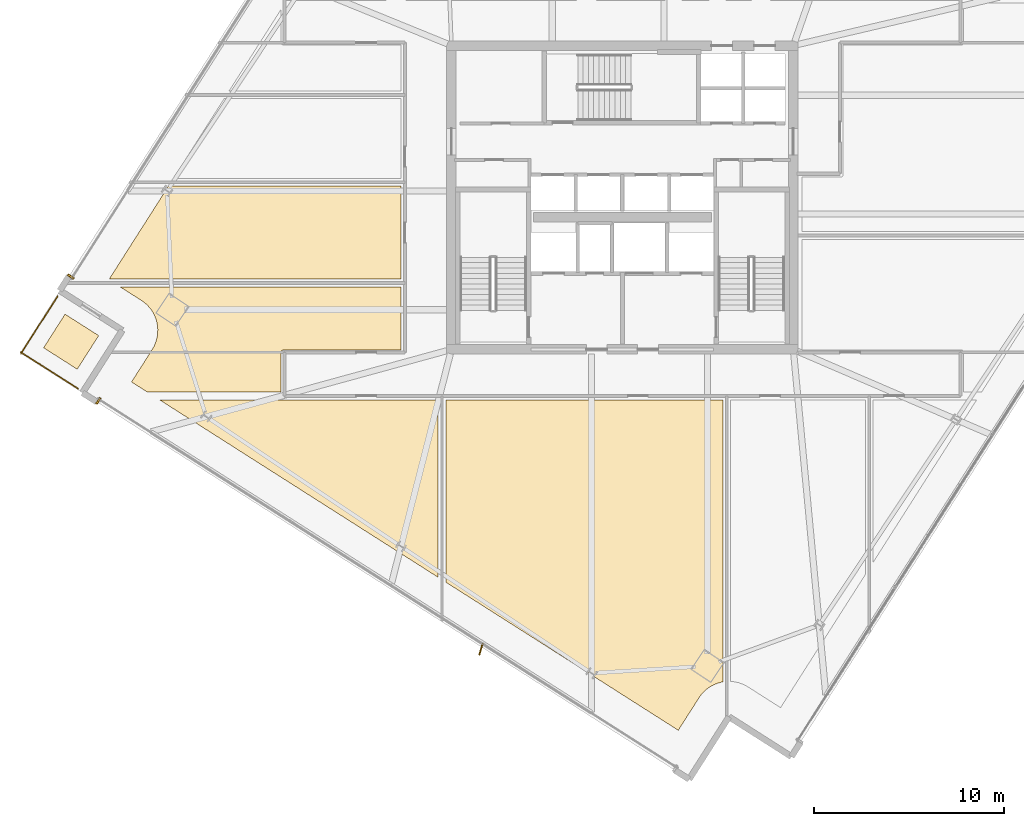
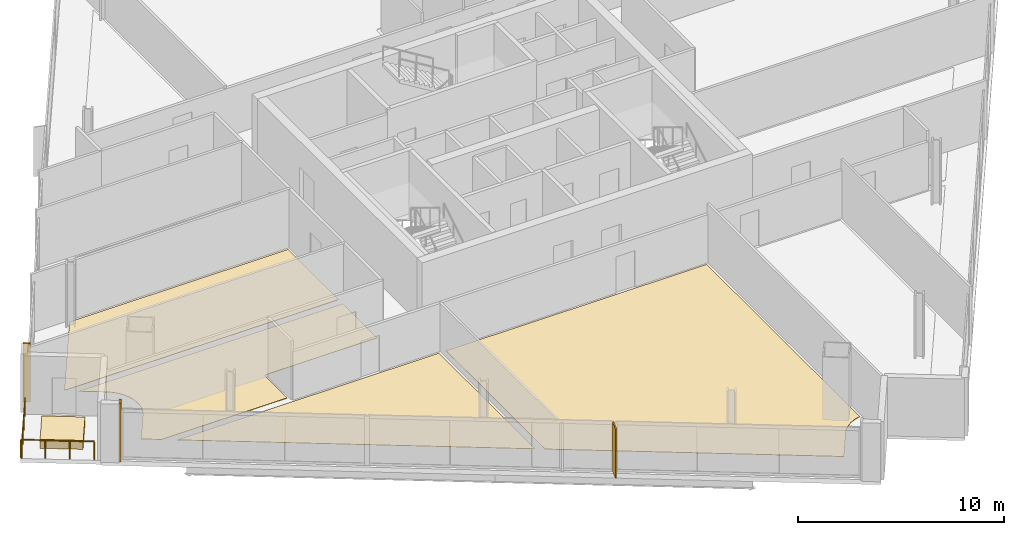
# One storey, part 26 of 30: 7 coverings, 2 railings, 1 shading device.
"""IFC4 building model written with IfcOpenShell, lengths in metres."""

import ifcopenshell
import ifcopenshell.guid

model = None  # the IFC model being written
_history = None  # IfcOwnerHistory: only IFC2X3 demands one
_inside = {}  # id of a spatial element -> (the spatial element, [elements in it])
_under = {}  # id of a project, library or spatial element -> (it, [spatial elements below it])
_declared = {}  # id of a project -> (the project, [libraries it declares])
_typed = {}  # id of a type object -> (the type object, [elements of that type])
_made_of = {}  # id of a material, layer set ... -> (it, [elements and type objects made of it])


def new_model(schema):
    """Start an empty IFC model of exactly this schema.

    Asked for "IFC4X3", IfcOpenShell would pick the latest addendum, in which some entities
    have other attributes; the version numbers below select the first issue.
    IFC2X3 requires an IfcOwnerHistory on every rooted entity: one is made here for all.
    """
    global model, _history
    if schema == "IFC4X3":
        model = ifcopenshell.file(schema_version=(4, 3, 0, 0))
    else:
        model = ifcopenshell.file(schema=schema)
    _inside.clear()
    _under.clear()
    _declared.clear()
    _typed.clear()
    _made_of.clear()
    _history = None
    if model.schema == "IFC2X3":
        org = make("IfcOrganization", Name="unknown")
        user = make(
            "IfcPersonAndOrganization",
            ThePerson=make("IfcPerson", FamilyName="unknown"),
            TheOrganization=org,
        )
        app = make(
            "IfcApplication",
            ApplicationDeveloper=org,
            Version="unknown",
            ApplicationFullName="unknown",
            ApplicationIdentifier="unknown",
        )
        _history = make(
            "IfcOwnerHistory",
            OwningUser=user,
            OwningApplication=app,
            ChangeAction="ADDED",
            CreationDate=0,
        )
    return model


def make(cls, **values):
    """One entity of the class cls with the attributes given. An attribute that is None is left unset."""
    return model.create_entity(
        cls, **{name: value for name, value in values.items() if value is not None}
    )


def rooted(cls, **values):
    """An entity with a GlobalId (a new one), such as an element, a storey or a relation."""
    return make(cls, GlobalId=ifcopenshell.guid.new(), OwnerHistory=_history, **values)


def si_unit(unit_type, name, prefix=None):
    """IfcSIUnit, for example si_unit("LENGTHUNIT", "METRE", prefix="MILLI")."""
    return make("IfcSIUnit", UnitType=unit_type, Prefix=prefix, Name=name)


def assignment(units):
    """IfcUnitAssignment: the units of a project."""
    return None if units is None else make("IfcUnitAssignment", Units=units)


def point(xyz):
    """IfcCartesianPoint."""
    return None if xyz is None else make("IfcCartesianPoint", Coordinates=xyz)


def direction(xyz):
    """IfcDirection."""
    return None if xyz is None else make("IfcDirection", DirectionRatios=xyz)


def frame(location, z_axis=None, x_axis=None):
    """IfcAxis2Placement3D, a coordinate frame: its origin and axes. An axis left out is left unset."""
    return make(
        "IfcAxis2Placement3D",
        Location=point(location),
        Axis=direction(z_axis),
        RefDirection=direction(x_axis),
    )


def frame_2d(location, x_axis=None):
    """IfcAxis2Placement2D, a coordinate frame in the plane: its origin and x axis."""
    return make(
        "IfcAxis2Placement2D", Location=point(location), RefDirection=direction(x_axis)
    )


def origin():
    """The frame at (0, 0, 0) with its axes left unset."""
    return frame((0.0, 0.0, 0.0))


def origin_2d():
    """The frame at (0, 0) in the plane with its x axis left unset."""
    return frame_2d((0.0, 0.0))


def place(relative_to, where):
    """IfcLocalPlacement: puts the frame where relative to a parent placement (None: the world)."""
    return make(
        "IfcLocalPlacement", PlacementRelTo=relative_to, RelativePlacement=where
    )


def context(
    kind, dimensions, precision=None, world=None, true_north=None, identifier=None
):
    """IfcGeometricRepresentationContext, for example the 3D "Model" context."""
    return make(
        "IfcGeometricRepresentationContext",
        ContextIdentifier=identifier,
        ContextType=kind,
        CoordinateSpaceDimension=dimensions,
        Precision=precision,
        WorldCoordinateSystem=world,
        TrueNorth=true_north,
    )


def subcontext(parent, identifier, kind, view, scale=None):
    """IfcGeometricRepresentationSubContext, for example "Body" below "Model"."""
    return make(
        "IfcGeometricRepresentationSubContext",
        ContextIdentifier=identifier,
        ContextType=kind,
        ParentContext=parent,
        TargetScale=scale,
        TargetView=view,
    )


def project(units=None, contexts=None):
    """IfcProject with its units and contexts."""
    return rooted(
        "IfcProject",
        Name="project",
        RepresentationContexts=contexts,
        UnitsInContext=assignment(units),
    )


def spatial(cls, under=None, at=None, **own):
    """A site, building, storey or space (cls), placed at a placement, below another one or the project."""
    s = rooted(cls, ObjectPlacement=at, **own)
    if under is not None:
        _under.setdefault(under.id(), (under, []))[1].append(s)
    return s


def polyline(points):
    """IfcPolyline through the points."""
    return make("IfcPolyline", Points=[point(p) for p in points])


def profile(cls, at=None, kind="AREA", **sizes):
    """A parametric profile (cls). Its sizes go by their IFC names, for example OverallWidth=200.0."""
    return make(cls, ProfileType=kind, Position=at, **sizes)


def rectangle(**sizes):
    """IfcRectangleProfileDef."""
    return profile("IfcRectangleProfileDef", **sizes)


def outline(outer, holes=None, kind="AREA"):
    """IfcArbitraryClosedProfileDef: a profile drawn as a closed curve; with holes, ...WithVoids."""
    if holes is None:
        return make("IfcArbitraryClosedProfileDef", ProfileType=kind, OuterCurve=outer)
    return make(
        "IfcArbitraryProfileDefWithVoids",
        ProfileType=kind,
        OuterCurve=outer,
        InnerCurves=holes,
    )


def extrude(swept, where, along, depth):
    """IfcExtrudedAreaSolid: the profile swept, set in the frame where, extruded along a direction by depth."""
    return make(
        "IfcExtrudedAreaSolid",
        SweptArea=swept,
        Position=where,
        ExtrudedDirection=direction(along),
        Depth=depth,
    )


def shape(context_of_items, identifier, shape_type, items):
    """IfcShapeRepresentation: the items that make up one representation, for example the "Body"."""
    return make(
        "IfcShapeRepresentation",
        ContextOfItems=context_of_items,
        RepresentationIdentifier=identifier,
        RepresentationType=shape_type,
        Items=items,
    )


def source(mapping_origin, context_of_items, identifier, shape_type, items):
    """IfcRepresentationMap: a shape defined once, which mapped items show again and again."""
    return make(
        "IfcRepresentationMap",
        MappingOrigin=mapping_origin,
        MappedRepresentation=shape(context_of_items, identifier, shape_type, items),
    )


def transform(
    local_origin,
    x_axis=None,
    y_axis=None,
    z_axis=None,
    scale=None,
    scale2=None,
    scale3=None,
    uniform=True,
):
    """IfcCartesianTransformationOperator3D, or its non-uniform kind. x_axis, y_axis, z_axis: its Axis1, 2, 3."""
    if uniform:
        return make(
            "IfcCartesianTransformationOperator3D",
            Axis1=direction(x_axis),
            Axis2=direction(y_axis),
            LocalOrigin=point(local_origin),
            Scale=scale,
            Axis3=direction(z_axis),
        )
    return make(
        "IfcCartesianTransformationOperator3DnonUniform",
        Axis1=direction(x_axis),
        Axis2=direction(y_axis),
        LocalOrigin=point(local_origin),
        Scale=scale,
        Axis3=direction(z_axis),
        Scale2=scale2,
        Scale3=scale3,
    )


def mapped(mapping_source, mapping_target):
    """IfcMappedItem: shows the shape of a source again, moved by a transform."""
    return make(
        "IfcMappedItem", MappingSource=mapping_source, MappingTarget=mapping_target
    )


def material(Name=None, Category=None):
    """IfcMaterial."""
    return make("IfcMaterial", Name=Name, Category=Category)


def layer(
    of_material, thickness, ventilated=None, Name=None, Category=None, Priority=None
):
    """IfcMaterialLayer: one layer of a wall or slab, of a material (None: an air gap)."""
    return make(
        "IfcMaterialLayer",
        Material=of_material,
        LayerThickness=thickness,
        IsVentilated=ventilated,
        Name=Name,
        Category=Category,
        Priority=Priority,
    )


def layer_set(layers, Name=None):
    """IfcMaterialLayerSet."""
    return make("IfcMaterialLayerSet", MaterialLayers=layers, LayerSetName=Name)


def made_of(thing, what):
    """Note that an element or type object is made of a material, layer set ...; save() writes the relation."""
    if what is not None:
        _made_of.setdefault(what.id(), (what, []))[1].append(thing)
    return thing


def type_object(cls, material=None, **own):
    """A type object (cls), such as IfcWallType, which elements share."""
    return made_of(rooted(cls, **own), material)


def element(
    cls,
    number,
    at=None,
    inside=None,
    cuts=None,
    type_object=None,
    material=None,
    context=None,
    identifier="Body",
    shape_type=None,
    held_by="IfcProductDefinitionShape",
    body=None,
    shapes=None,
    **own,
):
    """One element of the class cls, such as IfcWall. Its Tag is "e" and its number.

    at: its placement. inside: the storey or other place that contains it. cuts: it is an
    opening in that element (IfcRelVoidsElement). A single representation is given by context,
    identifier, shape_type and body (its items); several are given by shapes. held_by: the class
    of the entity that holds the representations. save() writes the other relations.
    """
    e = rooted(cls, Tag="e%d" % number, ObjectPlacement=at, **own)
    if body is not None:
        shapes = [shape(context, identifier, shape_type, body)]
    if shapes is not None:
        e.Representation = make(held_by, Representations=shapes)
    if inside is not None:
        _inside.setdefault(inside.id(), (inside, []))[1].append(e)
    if cuts is not None:
        rooted(
            "IfcRelVoidsElement", RelatingBuildingElement=cuts, RelatedOpeningElement=e
        )
    if type_object is not None:
        _typed.setdefault(type_object.id(), (type_object, []))[1].append(e)
    return made_of(e, material)


def aggregate(whole, parts):
    """IfcRelAggregates: a whole, such as a stair, and the parts it consists of."""
    return rooted("IfcRelAggregates", RelatingObject=whole, RelatedObjects=parts)


def save(model, path):
    """Write the relations noted so far, then the file.

    IfcRelAggregates (storeys below a building ...), IfcRelContainedInSpatialStructure (elements
    in a storey), IfcRelDefinesByType, IfcRelAssociatesMaterial and IfcRelDeclares: one each for
    every whole, place, type object, material and project.
    """
    for whole, parts in _under.values():
        aggregate(whole, parts)
    for where, things in _inside.values():
        rooted(
            "IfcRelContainedInSpatialStructure",
            RelatedElements=things,
            RelatingStructure=where,
        )
    for kind, things in _typed.values():
        rooted("IfcRelDefinesByType", RelatedObjects=things, RelatingType=kind)
    for what, things in _made_of.values():
        rooted("IfcRelAssociatesMaterial", RelatedObjects=things, RelatingMaterial=what)
    for by, libraries in _declared.values():
        rooted("IfcRelDeclares", RelatingContext=by, RelatedDefinitions=libraries)
    model.write(path)


model = new_model("IFC4")

# Units and contexts
model_context = context("Model", 3, precision=1e-05, world=origin(), true_north=direction((0.0, 1.0)))
body_context = subcontext(model_context, "Body", "Model", "MODEL_VIEW")
ifc_project = project(units=[si_unit("LENGTHUNIT", "METRE"), si_unit("AREAUNIT", "SQUARE_METRE"), si_unit("VOLUMEUNIT", "CUBIC_METRE"), si_unit("PLANEANGLEUNIT", "RADIAN"), si_unit("MASSUNIT", "GRAM", prefix="KILO")], contexts=[model_context])

# Site, building, storey
site_placement = place(None, origin())
site = spatial("IfcSite", under=ifc_project, at=site_placement, CompositionType="ELEMENT")
building_placement = place(site_placement, origin())
building = spatial("IfcBuilding", under=site, at=building_placement, Name="Haldenkirk Collegiate Tower", CompositionType="ELEMENT")
storey_placement = place(building_placement, frame((0.0, 0.0, 220.949951171875)))
storey = spatial("IfcBuildingStorey", under=building, at=storey_placement, Name="L55", CompositionType="ELEMENT", Elevation=220.949951171875)

# Coverings
ifc_material_1 = material(Name="Polished collegiate terrazzo", Category="concrete")
ifc_layer_1 = layer(ifc_material_1, 0.02490234375)
ifc_layer_set_1 = layer_set([ifc_layer_1], Name="Polished collegiate terrazzo")
covering_type_1 = type_object("IfcCoveringType", Name="COV-FLOOR-TERRAZZO", PredefinedType="FLOORING", material=ifc_layer_set_1)
covering_1_placement = place(storey_placement, origin())
element("IfcCovering", 1, at=covering_1_placement, inside=storey, type_object=covering_type_1, Name="L55 academic room finish 02", PredefinedType="FLOORING", context=body_context, shape_type="SweptSolid", body=[
    extrude(outline(polyline([(41.300048828125, 0.4951171875), (41.2109375, 0.479736328125), (41.199462890625, 0.477294921875), (41.033935546875, 0.431884765625), (41.022705078125, 0.42822265625), (40.8623046875, 0.366943359375), (40.8515625, 0.362060546875), (40.697998046875, 0.285400390625), (40.687744140625, 0.279541015625), (40.542236328125, 0.18798828125), (40.53271484375, 0.181396484375), (40.39697265625, 0.075927734375), (40.387939453125, 0.068359375), (40.26318359375, -0.0498046875), (40.255126953125, -0.058349609375), (40.142578125, -0.18798828125), (40.135498046875, -0.197265625), (40.0361328125, -0.33740234375), (40.03271484375, -0.34228515625), (38.942138671875, -2.054443359375), (26.699951171875, 5.74462890625), (26.699951171875, 15.35009765625), (41.300048828125, 15.35009765625), (41.300048828125, 0.4951171875)])), origin(), (0.0, 0.0, 1.0), 0.025146484375),
])
covering_2_placement = place(storey_placement, origin())
element("IfcCovering", 2, at=covering_2_placement, inside=storey, type_object=covering_type_1, Name="L55 academic room finish 08", PredefinedType="FLOORING", context=body_context, shape_type="SweptSolid", body=[
    extrude(outline(polyline([(8.9775390625, 21.699951171875), (12.099365234375, 26.60009765625), (24.35009765625, 26.60009765625), (24.35009765625, 21.699951171875), (8.9775390625, 21.699951171875)])), origin(), (0.0, 0.0, 1.0), 0.025146484375),
])
ifc_material_2 = material(Name="Engineered collegiate oak acoustic flooring", Category="wood")
ifc_layer_2 = layer(ifc_material_2, 0.02197265625)
ifc_layer_set_2 = layer_set([ifc_layer_2], Name="Engineered collegiate oak acoustic flooring")
covering_type_2 = type_object("IfcCoveringType", Name="COV-FLOOR-TIMBER", PredefinedType="FLOORING", material=ifc_layer_set_2)
covering_3_placement = place(storey_placement, origin())
element("IfcCovering", 3, at=covering_3_placement, inside=storey, type_object=covering_type_2, Name="L55 academic room finish 01", PredefinedType="FLOORING", context=body_context, shape_type="SweptSolid", body=[
    extrude(outline(polyline([(11.622802734375, 15.35009765625), (26.300048828125, 15.35009765625), (26.300048828125, 5.99951171875), (11.622802734375, 15.35009765625)])), origin(), (0.0, 0.0, 1.0), 0.02197265625),
])
covering_4_placement = place(storey_placement, origin())
element("IfcCovering", 4, at=covering_4_placement, inside=storey, type_object=covering_type_2, Name="L55 academic room finish 07", PredefinedType="FLOORING", context=body_context, shape_type="SweptSolid", body=[
    extrude(outline(polyline([(11.24365234375, 17.998291015625), (11.24658203125, 18.00341796875), (11.331787109375, 18.152587890625), (11.337158203125, 18.1630859375), (11.4072265625, 18.320068359375), (11.411376953125, 18.3310546875), (11.4658203125, 18.493896484375), (11.468994140625, 18.505126953125), (11.507080078125, 18.672607421875), (11.509033203125, 18.684326171875), (11.530517578125, 18.854736328125), (11.531494140625, 18.866455078125), (11.5361328125, 19.0380859375), (11.535888671875, 19.0498046875), (11.523681640625, 19.22119140625), (11.522216796875, 19.23291015625), (11.493408203125, 19.402099609375), (11.49072265625, 19.413818359375), (11.445556640625, 19.579345703125), (11.44189453125, 19.590576171875), (11.380615234375, 19.7509765625), (11.375732421875, 19.76171875), (11.298828125, 19.915283203125), (11.293212890625, 19.925537109375), (11.20166015625, 20.07080078125), (11.19482421875, 20.08056640625), (11.089599609375, 20.21630859375), (11.081787109375, 20.22509765625), (10.9638671875, 20.349853515625), (10.955322265625, 20.358154296875), (10.82568359375, 20.470703125), (10.81640625, 20.477783203125), (10.67626953125, 20.5771484375), (10.67138671875, 20.580322265625), (9.54150390625, 21.300048828125), (24.35009765625, 21.300048828125), (24.35009765625, 17.969970703125), (18.14990234375, 17.969970703125), (18.13818359375, 17.969482421875), (18.126708984375, 17.9677734375), (18.115234375, 17.96484375), (18.10400390625, 17.9609375), (18.093505859375, 17.955810546875), (18.083251953125, 17.94970703125), (18.073974609375, 17.94287109375), (18.065185546875, 17.934814453125), (18.05712890625, 17.926025390625), (18.05029296875, 17.916748046875), (18.044189453125, 17.906494140625), (18.0390625, 17.89599609375), (18.03515625, 17.884765625), (18.0322265625, 17.873291015625), (18.030517578125, 17.86181640625), (18.030029296875, 17.85009765625), (18.030029296875, 15.75), (10.9951171875, 15.75), (10.153076171875, 16.286376953125), (11.24365234375, 17.998291015625)])), origin(), (0.0, 0.0, 1.0), 0.02197265625),
])
ifc_material_3 = material(Name="Precast concrete f'c 40 MPa", Category="concrete")
ifc_layer_3 = layer(ifc_material_3, 0.449951171875)
ifc_layer_set_3 = layer_set([ifc_layer_3], Name="Precast concrete f'c 40 MPa")
covering_type_3 = type_object("IfcCoveringType", Name="COV-PLANTER-450", PredefinedType="USERDEFINED", material=ifc_layer_set_3)
covering_5_placement = place(storey_placement, origin())
element("IfcCovering", 5, at=covering_5_placement, inside=storey, type_object=covering_type_3, Name="L55 planted garden planter bed", ObjectType="PLANTER", PredefinedType="USERDEFINED", context=body_context, shape_type="SweptSolid", body=[
    extrude(outline(polyline([(7.295654296875, 16.95654296875), (5.5244140625, 18.0849609375), (6.65283203125, 19.85595703125), (8.424072265625, 18.727783203125), (7.295654296875, 16.95654296875)])), origin(), (0.0, 0.0, 1.0), 0.449951171875),
])

# Railings
ifc_material_4 = material(Name="Anodised architectural bronze aluminium", Category="aluminium")
railing_type = type_object("IfcRailingType", Name="RLG-TERR-BALUSTRADE-1100", PredefinedType="BALUSTRADE", material=ifc_material_4)
railing_1_placement = place(storey_placement, frame((6.256103515625, 20.79638671875, 0.0)))
element("IfcRailing", 6, at=railing_1_placement, inside=storey, type_object=railing_type, Name="L55 terrace guard balustrade 3-1", PredefinedType="BALUSTRADE", context=body_context, shape_type="SweptSolid", body=[
    extrude(rectangle(XDim=0.048095703125, YDim=0.048095703125, at=origin_2d()), frame((0.0, 0.0, 1.076171875), z_axis=(-0.537316687323, -0.843380565062, 0.0), x_axis=(0.843380565062, -0.537316687323, 0.0)), (0.0, 0.0, 1.0), 3.580078125),
    extrude(rectangle(XDim=0.0419921875, YDim=0.0419921875, at=origin_2d()), origin(), (0.0, 0.0, 1.0), 1.052001953125),
    extrude(rectangle(XDim=0.0419921875, YDim=0.0419921875, at=origin_2d()), frame((-0.64111328125, -1.00634765625, 0.0)), (0.0, 0.0, 1.0), 1.052001953125),
    extrude(rectangle(XDim=0.0419921875, YDim=0.0419921875, at=origin_2d()), frame((-1.282470703125, -2.012939453125, 0.0)), (0.0, 0.0, 1.0), 1.052001953125),
    extrude(rectangle(XDim=0.0419921875, YDim=0.0419921875, at=origin_2d()), frame((-1.923583984375, -3.019287109375, 0.0)), (0.0, 0.0, 1.0), 1.052001953125),
])
railing_2_placement = place(storey_placement, frame((4.314208984375, 17.860107421875, 0.0)))
element("IfcRailing", 7, at=railing_2_placement, inside=storey, type_object=railing_type, Name="L55 terrace guard balustrade 4-1", PredefinedType="BALUSTRADE", context=body_context, shape_type="SweptSolid", body=[
    extrude(rectangle(XDim=0.048095703125, YDim=0.048095703125, at=origin_2d()), frame((0.0, 0.0, 1.076171875), z_axis=(0.843380565062, -0.537316687323, 0.0), x_axis=(0.537316687323, 0.843380565062, 0.0)), (0.0, 0.0, 1.0), 3.580078125),
    extrude(rectangle(XDim=0.0419921875, YDim=0.0419921875, at=origin_2d()), origin(), (0.0, 0.0, 1.0), 1.052001953125),
    extrude(rectangle(XDim=0.0419921875, YDim=0.0419921875, at=origin_2d()), frame((1.00634765625, -0.64111328125, 0.0)), (0.0, 0.0, 1.0), 1.052001953125),
    extrude(rectangle(XDim=0.0419921875, YDim=0.0419921875, at=origin_2d()), frame((2.012939453125, -1.282470703125, 0.0)), (0.0, 0.0, 1.0), 1.052001953125),
    extrude(rectangle(XDim=0.0419921875, YDim=0.0419921875, at=origin_2d()), frame((3.019287109375, -1.923583984375, 0.0)), (0.0, 0.0, 1.0), 1.052001953125),
])

# Coverings
ifc_layer_4 = layer(ifc_material_4, 0.06005859375)
ifc_layer_set_4 = layer_set([ifc_layer_4], Name="Anodised architectural bronze aluminium")
covering_type_4 = type_object("IfcCoveringType", Name="COV-CLAD-BRONZE-60", PredefinedType="CLADDING", material=ifc_layer_set_4)
shared_shape_1 = source(origin(), body_context, "Body", "SweptSolid", [
    extrude(rectangle(XDim=0.10009765625, YDim=0.3798828125, at=origin_2d()), origin(), (0.0, 0.0, 1.0), 3.469970703125),
])
for number, where, z_axis, x_axis, name in (
    (8, (6.952880859375, 21.834716796875, 0.0), (0.0, 0.0, 1.0), (0.537299608347, 0.843391445813, 0.0), "L55 recessed curtain-wall bronze jamb closure NJL"),
    (9, (8.40380859375, 15.290283203125, 0.0), (0.0, 0.0, 1.0), (-0.843391445813, 0.537299608347, 0.0), "L55 recessed curtain-wall bronze jamb closure WJR"),
):
    element("IfcCovering", number, at=place(storey_placement, frame(where, z_axis=z_axis, x_axis=x_axis)), inside=storey, type_object=covering_type_4, Name=name, PredefinedType="CLADDING", context=body_context, shape_type="MappedRepresentation", body=[
        mapped(shared_shape_1, transform((0.0, 0.0, 0.0), x_axis=(1.0, 0.0, 0.0), y_axis=(0.0, 1.0, 0.0), z_axis=(0.0, 0.0, 1.0), scale=1.0)),
    ])

# Shading device
ifc_layer_5 = layer(ifc_material_4, 0.06494140625)
ifc_layer_set_5 = layer_set([ifc_layer_5], Name="Anodised architectural bronze aluminium")
shading_device_type = type_object("IfcShadingDeviceType", Name="SHD-FIN-BRONZE-620", PredefinedType="USERDEFINED", material=ifc_layer_set_5)
shared_shape_2 = source(origin(), body_context, "Body", "SweptSolid", [
    extrude(rectangle(XDim=0.6201171875, YDim=0.06494140625, at=origin_2d()), origin(), (0.0, 0.0, 1.0), 2.927978515625),
])
shading_device_placement = place(storey_placement, frame((28.552001953125, 2.211181640625, 0.0), z_axis=(0.0, 0.0, 1.0), x_axis=(-0.284015344704, -0.958819734868, 0.0)))
element("IfcShadingDevice", 10, at=shading_device_placement, inside=storey, type_object=shading_device_type, Name="L55 folded bronze solar fin 1", ObjectType="FIN", PredefinedType="USERDEFINED", context=body_context, shape_type="MappedRepresentation", body=[
    mapped(shared_shape_2, transform((0.0, 0.0, 0.0), x_axis=(1.0, 0.0, 0.0), y_axis=(0.0, 1.0, 0.0), z_axis=(0.0, 0.0, 1.0), scale=1.0)),
])

save(model, "model.ifc")
